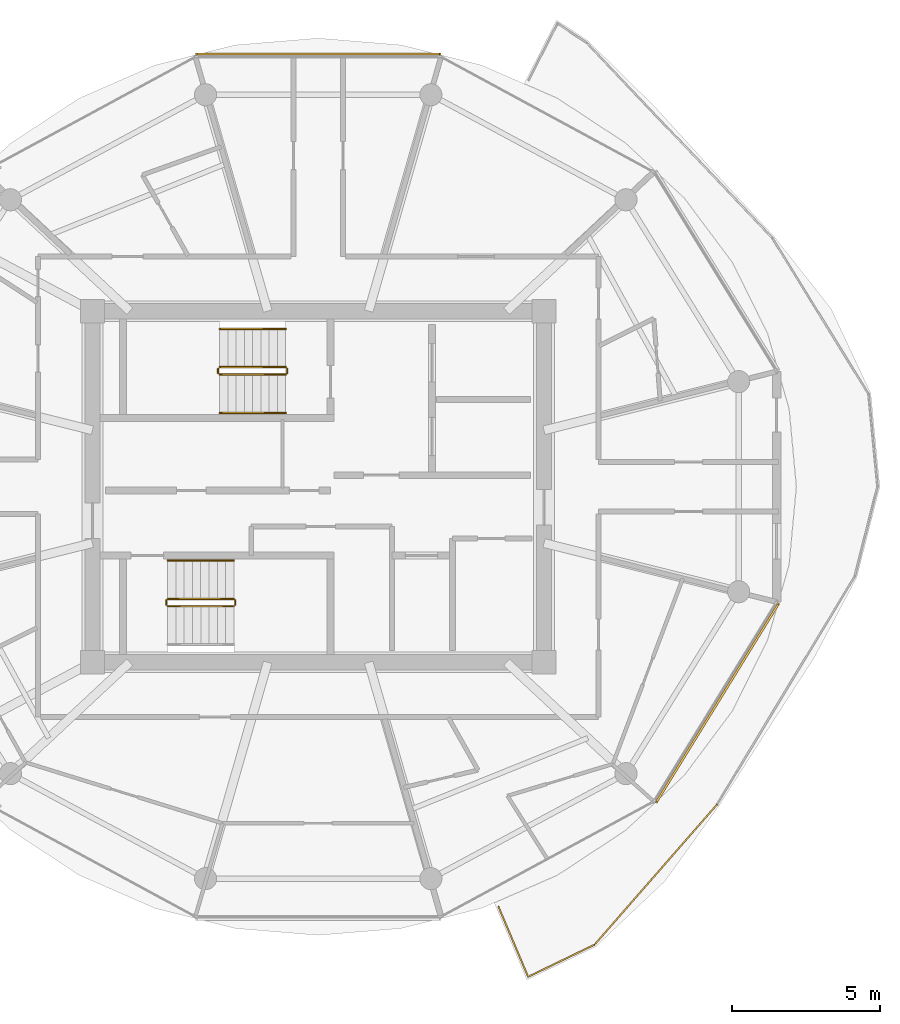
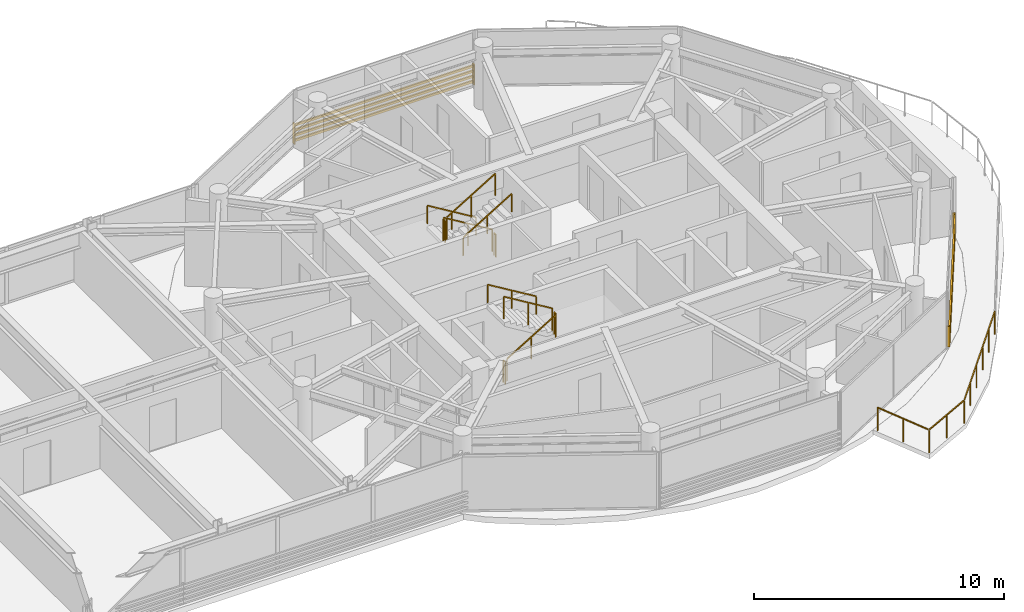
# One storey, part 23 of 24: 12 railings, 2 shading devices.
"""IFC4 building model written with IfcOpenShell, lengths in metres."""

from ifc_helpers import new_model, si_unit, direction, frame, origin, origin_2d, place, context, subcontext, project, spatial, rectangle, extrude, source, transform, mapped, material, type_object, type_shapes, element, save


model = new_model("IFC4")

# Units and contexts
model_context = context("Model", 3, precision=1e-05, world=origin(), true_north=direction((0.0, 1.0)))
body_context = subcontext(model_context, "Body", "Model", "MODEL_VIEW")
ifc_project = project(units=[si_unit("LENGTHUNIT", "METRE"), si_unit("AREAUNIT", "SQUARE_METRE"), si_unit("VOLUMEUNIT", "CUBIC_METRE"), si_unit("PLANEANGLEUNIT", "RADIAN"), si_unit("MASSUNIT", "GRAM", prefix="KILO")], contexts=[model_context])

# Site, building, storey
site_placement = place(None, origin())
site = spatial("IfcSite", under=ifc_project, at=site_placement, CompositionType="ELEMENT")
building_placement = place(site_placement, origin())
building = spatial("IfcBuilding", under=site, at=building_placement, Name="Norrkilde Senior Care Towers", CompositionType="ELEMENT")
storey_placement = place(building_placement, frame((0.0, 0.0, 213.89990234375)))
storey = spatial("IfcBuildingStorey", under=building, at=storey_placement, Name="L66", CompositionType="ELEMENT", Elevation=213.89990234375)

# Railings
ifc_material_1 = material(Name="Anodised Aluminium", Category="aluminium")
railing_type_1 = type_object("IfcRailingType", Name="Balcony Swirl Ribbon Guardrail 1150", PredefinedType="GUARDRAIL", material=ifc_material_1)
railing_1_placement = place(storey_placement, frame((41.511962890625, -10.7705078125, 0.0)))
element("IfcRailing", 1, at=railing_1_placement, inside=storey, type_object=railing_type_1, Name="L66 Perimeter Safety Guard 01", PredefinedType="GUARDRAIL", context=body_context, shape_type="SweptSolid", body=[
    extrude(rectangle(XDim=0.048095703125, YDim=0.048095703125, at=origin_2d()), frame((0.0, 0.0, 1.1259765625), z_axis=(-0.657980677489, -0.753034811978, 0.0), x_axis=(0.753034811978, -0.657980677489, 0.0)), (0.0, 0.0, 1.0), 6.261962890625),
    extrude(rectangle(XDim=0.048095703125, YDim=0.048095703125, at=origin_2d()), frame((-4.18408203125, -4.76416015625, 1.1259765625), z_axis=(-0.900167891141, -0.43554307222, 0.0), x_axis=(0.43554307222, -0.900167891141, 0.0)), (0.0, 0.0, 1.0), 2.419921875),
    extrude(rectangle(XDim=0.048095703125, YDim=0.048095703125, at=origin_2d()), frame((-6.4150390625, -5.79833984375, 1.1259765625), z_axis=(-0.389698674381, 0.920942421211, 0.0), x_axis=(-0.920942421211, -0.389698674381, 0.0)), (0.0, 0.0, 1.0), 2.537841796875),
    extrude(rectangle(XDim=0.0419921875, YDim=0.0419921875, at=origin_2d()), origin(), (0.0, 0.0, 1.0), 1.099853515625),
    extrude(rectangle(XDim=0.0419921875, YDim=0.0419921875, at=origin_2d()), frame((-0.829345703125, -0.94921875, 0.0)), (0.0, 0.0, 1.0), 1.099853515625),
    extrude(rectangle(XDim=0.0419921875, YDim=0.0419921875, at=origin_2d()), frame((-1.658935546875, -1.8984375, 0.0)), (0.0, 0.0, 1.0), 1.099853515625),
    extrude(rectangle(XDim=0.0419921875, YDim=0.0419921875, at=origin_2d()), frame((-2.48828125, -2.847900390625, 0.0)), (0.0, 0.0, 1.0), 1.099853515625),
    extrude(rectangle(XDim=0.0419921875, YDim=0.0419921875, at=origin_2d()), frame((-3.31787109375, -3.797119140625, 0.0)), (0.0, 0.0, 1.0), 1.099853515625),
    extrude(rectangle(XDim=0.0419921875, YDim=0.0419921875, at=origin_2d()), frame((-4.147216796875, -4.746337890625, 0.0)), (0.0, 0.0, 1.0), 1.099853515625),
    extrude(rectangle(XDim=0.0419921875, YDim=0.0419921875, at=origin_2d()), frame((-5.273193359375, -5.291015625, 0.0)), (0.0, 0.0, 1.0), 1.099853515625),
    extrude(rectangle(XDim=0.0419921875, YDim=0.0419921875, at=origin_2d()), frame((-6.399169921875, -5.8359375, 0.0)), (0.0, 0.0, 1.0), 1.099853515625),
    extrude(rectangle(XDim=0.0419921875, YDim=0.0419921875, at=origin_2d()), frame((-6.901611328125, -4.6484375, 0.0)), (0.0, 0.0, 1.0), 1.099853515625),
    extrude(rectangle(XDim=0.0419921875, YDim=0.0419921875, at=origin_2d()), frame((-7.404052734375, -3.461181640625, 0.0)), (0.0, 0.0, 1.0), 1.099853515625),
])
ifc_material_2 = material(Name="Stainless Steel", Category="steel")
railing_type_2 = type_object("IfcRailingType", Name="Stair and Terrace Guardrail 1100", PredefinedType="GUARDRAIL", material=ifc_material_2)
railing_2_placement = place(storey_placement, frame((26.89990234375, 4.050048828125, 0.16943359375)))
element("IfcRailing", 2, at=railing_2_placement, inside=storey, type_object=railing_type_2, Name="L66 ST-E1 stair guard 1", PredefinedType="GUARDRAIL", context=body_context, shape_type="SweptSolid", body=[
    extrude(rectangle(XDim=0.048095703125, YDim=0.048095703125, at=origin_2d()), frame((0.0, 0.0, 1.076171875), z_axis=(-0.855512035549, 0.0, 0.517782924622), x_axis=(0.0, -1.0, 0.0)), (0.0, 0.0, 1.0), 2.618408203125),
    extrude(rectangle(XDim=0.0419921875, YDim=0.0419921875, at=origin_2d()), origin(), (0.0, 0.0, 1.0), 1.050048828125),
    extrude(rectangle(XDim=0.0419921875, YDim=0.0419921875, at=origin_2d()), frame((-1.1201171875, 0.0, 0.677734375)), (0.0, 0.0, 1.0), 1.050048828125),
    extrude(rectangle(XDim=0.0419921875, YDim=0.0419921875, at=origin_2d()), frame((-2.239990234375, 0.0, 1.355712890625)), (0.0, 0.0, 1.0), 1.050048828125),
])
railing_3_placement = place(storey_placement, frame((24.610107421875, 4.0, 1.525146484375)))
element("IfcRailing", 3, at=railing_3_placement, inside=storey, type_object=railing_type_2, Name="L66 ST-E1 stair guard 2", PredefinedType="GUARDRAIL", context=body_context, shape_type="SweptSolid", body=[
    extrude(rectangle(XDim=0.048095703125, YDim=0.048095703125, at=origin_2d()), frame((0.0, 0.0, 1.076171875), z_axis=(0.0, -1.0, 0.0), x_axis=(1.0, 0.0, 0.0)), (0.0, 0.0, 1.0), 0.14990234375),
    extrude(rectangle(XDim=0.0419921875, YDim=0.0419921875, at=origin_2d()), origin(), (0.0, 0.0, 1.0), 1.050048828125),
    extrude(rectangle(XDim=0.0419921875, YDim=0.0419921875, at=origin_2d()), frame((0.0, -0.14990234375, 0.0)), (0.0, 0.0, 1.0), 1.050048828125),
])
railing_4_placement = place(storey_placement, frame((24.659912109375, 3.800048828125, 1.694580078125)))
element("IfcRailing", 4, at=railing_4_placement, inside=storey, type_object=railing_type_2, Name="L66 ST-E1 stair guard 3", PredefinedType="GUARDRAIL", context=body_context, shape_type="SweptSolid", body=[
    extrude(rectangle(XDim=0.048095703125, YDim=0.048095703125, at=origin_2d()), frame((0.0, 0.0, 1.076171875), z_axis=(0.855553338991, 0.0, 0.51771467445), x_axis=(0.0, 1.0, 0.0)), (0.0, 0.0, 1.0), 2.6181640625),
    extrude(rectangle(XDim=0.0419921875, YDim=0.0419921875, at=origin_2d()), origin(), (0.0, 0.0, 1.0), 1.050048828125),
    extrude(rectangle(XDim=0.0419921875, YDim=0.0419921875, at=origin_2d()), frame((1.1201171875, 0.0, 0.677734375)), (0.0, 0.0, 1.0), 1.050048828125),
    extrude(rectangle(XDim=0.0419921875, YDim=0.0419921875, at=origin_2d()), frame((2.239990234375, 0.0, 1.35546875)), (0.0, 0.0, 1.0), 1.050048828125),
])
railing_5_placement = place(storey_placement, frame((26.949951171875, 4.0, 0.0)))
element("IfcRailing", 5, at=railing_5_placement, inside=storey, type_object=railing_type_2, Name="L66 ST-E1 stair guard 4", PredefinedType="GUARDRAIL", context=body_context, shape_type="SweptSolid", body=[
    extrude(rectangle(XDim=0.048095703125, YDim=0.048095703125, at=origin_2d()), frame((0.0, 0.0, 1.076171875), z_axis=(0.0, -1.0, 0.0), x_axis=(1.0, 0.0, 0.0)), (0.0, 0.0, 1.0), 0.14990234375),
    extrude(rectangle(XDim=0.0419921875, YDim=0.0419921875, at=origin_2d()), origin(), (0.0, 0.0, 1.0), 1.050048828125),
    extrude(rectangle(XDim=0.0419921875, YDim=0.0419921875, at=origin_2d()), frame((0.0, -0.14990234375, 0.0)), (0.0, 0.0, 1.0), 1.050048828125),
])
railing_6_placement = place(storey_placement, frame((22.89990234375, -4.050048828125, 0.16943359375)))
element("IfcRailing", 6, at=railing_6_placement, inside=storey, type_object=railing_type_2, Name="L66 ST-E2 stair guard 1", PredefinedType="GUARDRAIL", context=body_context, shape_type="SweptSolid", body=[
    extrude(rectangle(XDim=0.048095703125, YDim=0.048095703125, at=origin_2d()), frame((0.0, 0.0, 1.076171875), z_axis=(0.855512035549, 0.0, 0.517782924622), x_axis=(0.0, 1.0, 0.0)), (0.0, 0.0, 1.0), 2.618408203125),
    extrude(rectangle(XDim=0.0419921875, YDim=0.0419921875, at=origin_2d()), origin(), (0.0, 0.0, 1.0), 1.050048828125),
    extrude(rectangle(XDim=0.0419921875, YDim=0.0419921875, at=origin_2d()), frame((1.1201171875, 0.0, 0.677734375)), (0.0, 0.0, 1.0), 1.050048828125),
    extrude(rectangle(XDim=0.0419921875, YDim=0.0419921875, at=origin_2d()), frame((2.239990234375, 0.0, 1.355712890625)), (0.0, 0.0, 1.0), 1.050048828125),
])
railing_7_placement = place(storey_placement, frame((25.18994140625, -4.0, 1.525146484375)))
element("IfcRailing", 7, at=railing_7_placement, inside=storey, type_object=railing_type_2, Name="L66 ST-E2 stair guard 2", PredefinedType="GUARDRAIL", context=body_context, shape_type="SweptSolid", body=[
    extrude(rectangle(XDim=0.048095703125, YDim=0.048095703125, at=origin_2d()), frame((0.0, 0.0, 1.076171875), z_axis=(0.0, 1.0, 0.0), x_axis=(-1.0, 0.0, 0.0)), (0.0, 0.0, 1.0), 0.14990234375),
    extrude(rectangle(XDim=0.0419921875, YDim=0.0419921875, at=origin_2d()), origin(), (0.0, 0.0, 1.0), 1.050048828125),
    extrude(rectangle(XDim=0.0419921875, YDim=0.0419921875, at=origin_2d()), frame((0.0, 0.14990234375, 0.0)), (0.0, 0.0, 1.0), 1.050048828125),
])
railing_8_placement = place(storey_placement, frame((25.139892578125, -3.800048828125, 1.694580078125)))
element("IfcRailing", 8, at=railing_8_placement, inside=storey, type_object=railing_type_2, Name="L66 ST-E2 stair guard 3", PredefinedType="GUARDRAIL", context=body_context, shape_type="SweptSolid", body=[
    extrude(rectangle(XDim=0.048095703125, YDim=0.048095703125, at=origin_2d()), frame((0.0, 0.0, 1.076171875), z_axis=(-0.855553338991, 0.0, 0.51771467445), x_axis=(0.0, -1.0, 0.0)), (0.0, 0.0, 1.0), 2.6181640625),
    extrude(rectangle(XDim=0.0419921875, YDim=0.0419921875, at=origin_2d()), origin(), (0.0, 0.0, 1.0), 1.050048828125),
    extrude(rectangle(XDim=0.0419921875, YDim=0.0419921875, at=origin_2d()), frame((-1.1201171875, 0.0, 0.677734375)), (0.0, 0.0, 1.0), 1.050048828125),
    extrude(rectangle(XDim=0.0419921875, YDim=0.0419921875, at=origin_2d()), frame((-2.239990234375, 0.0, 1.35546875)), (0.0, 0.0, 1.0), 1.050048828125),
])
railing_9_placement = place(storey_placement, frame((22.85009765625, -4.0, 0.0)))
element("IfcRailing", 9, at=railing_9_placement, inside=storey, type_object=railing_type_2, Name="L66 ST-E2 stair guard 4", PredefinedType="GUARDRAIL", context=body_context, shape_type="SweptSolid", body=[
    extrude(rectangle(XDim=0.048095703125, YDim=0.048095703125, at=origin_2d()), frame((0.0, 0.0, 1.076171875), z_axis=(0.0, 1.0, 0.0), x_axis=(-1.0, 0.0, 0.0)), (0.0, 0.0, 1.0), 0.14990234375),
    extrude(rectangle(XDim=0.0419921875, YDim=0.0419921875, at=origin_2d()), origin(), (0.0, 0.0, 1.0), 1.050048828125),
    extrude(rectangle(XDim=0.0419921875, YDim=0.0419921875, at=origin_2d()), frame((0.0, 0.14990234375, 0.0)), (0.0, 0.0, 1.0), 1.050048828125),
])
ifc_material_3 = material(Name="Nordic Ash Timber", Category="wood")
railing_type_3 = type_object("IfcRailingType", Name="Wall and Stair Handrail 900", PredefinedType="HANDRAIL", material=ifc_material_3)
railing_10_placement = place(storey_placement, frame((26.89990234375, 5.35009765625, 0.16943359375)))
element("IfcRailing", 10, at=railing_10_placement, inside=storey, type_object=railing_type_3, Name="L66 ST-E1 stair handrail 1", PredefinedType="HANDRAIL", context=body_context, shape_type="SweptSolid", body=[
    extrude(rectangle(XDim=0.048095703125, YDim=0.048095703125, at=origin_2d()), frame((0.0, 0.0, 0.8759765625), z_axis=(-0.855512035549, 0.0, 0.517782924622), x_axis=(0.0, -1.0, 0.0)), (0.0, 0.0, 1.0), 2.618408203125),
    extrude(rectangle(XDim=0.0419921875, YDim=0.0419921875, at=origin_2d()), origin(), (0.0, 0.0, 1.0), 0.849853515625),
    extrude(rectangle(XDim=0.0419921875, YDim=0.0419921875, at=origin_2d()), frame((-1.1201171875, 0.0, 0.677734375)), (0.0, 0.0, 1.0), 0.849853515625),
    extrude(rectangle(XDim=0.0419921875, YDim=0.0419921875, at=origin_2d()), frame((-2.239990234375, 0.0, 1.355712890625)), (0.0, 0.0, 1.0), 0.849853515625),
])
railing_11_placement = place(storey_placement, frame((24.659912109375, 2.5, 1.694580078125)))
element("IfcRailing", 11, at=railing_11_placement, inside=storey, type_object=railing_type_3, Name="L66 ST-E1 stair handrail 2", PredefinedType="HANDRAIL", context=body_context, shape_type="SweptSolid", body=[
    extrude(rectangle(XDim=0.048095703125, YDim=0.048095703125, at=origin_2d()), frame((0.0, 0.0, 0.8759765625), z_axis=(0.855553338991, 0.0, 0.51771467445), x_axis=(0.0, 1.0, 0.0)), (0.0, 0.0, 1.0), 2.6181640625),
    extrude(rectangle(XDim=0.0419921875, YDim=0.0419921875, at=origin_2d()), origin(), (0.0, 0.0, 1.0), 0.849853515625),
    extrude(rectangle(XDim=0.0419921875, YDim=0.0419921875, at=origin_2d()), frame((1.1201171875, 0.0, 0.677734375)), (0.0, 0.0, 1.0), 0.849853515625),
    extrude(rectangle(XDim=0.0419921875, YDim=0.0419921875, at=origin_2d()), frame((2.239990234375, 0.0, 1.35546875)), (0.0, 0.0, 1.0), 0.849853515625),
])
railing_12_placement = place(storey_placement, frame((25.139892578125, -2.5, 1.694580078125)))
element("IfcRailing", 12, at=railing_12_placement, inside=storey, type_object=railing_type_3, Name="L66 ST-E2 stair handrail 2", PredefinedType="HANDRAIL", context=body_context, shape_type="SweptSolid", body=[
    extrude(rectangle(XDim=0.048095703125, YDim=0.048095703125, at=origin_2d()), frame((0.0, 0.0, 0.8759765625), z_axis=(-0.855553338991, 0.0, 0.51771467445), x_axis=(0.0, -1.0, 0.0)), (0.0, 0.0, 1.0), 2.6181640625),
    extrude(rectangle(XDim=0.0419921875, YDim=0.0419921875, at=origin_2d()), origin(), (0.0, 0.0, 1.0), 0.849853515625),
    extrude(rectangle(XDim=0.0419921875, YDim=0.0419921875, at=origin_2d()), frame((-1.1201171875, 0.0, 0.677734375)), (0.0, 0.0, 1.0), 0.849853515625),
    extrude(rectangle(XDim=0.0419921875, YDim=0.0419921875, at=origin_2d()), frame((-2.239990234375, 0.0, 1.35546875)), (0.0, 0.0, 1.0), 0.849853515625),
])

# Shading devices
ifc_material_4 = material(Name="Architectural Terracotta", Category="masonry")
shading_device_type = type_object("IfcShadingDeviceType", Name="Horizontal Terracotta Baguette Rack", PredefinedType="USERDEFINED", material=ifc_material_4)
shared_shape_1 = source(origin(), body_context, "Body", "SweptSolid", [
    extrude(rectangle(XDim=0.070068359375, YDim=0.110107421875, at=origin_2d()), frame((0.0, 0.090087890625, 0.125), z_axis=(1.0, 0.0, 0.0), x_axis=(0.0, 1.0, 0.0)), (0.0, 0.0, 1.0), 7.938232421875),
    extrude(rectangle(XDim=0.070068359375, YDim=0.110107421875, at=origin_2d()), frame((0.0, 0.090087890625, 0.375), z_axis=(1.0, 0.0, 0.0), x_axis=(0.0, 1.0, 0.0)), (0.0, 0.0, 1.0), 7.938232421875),
    extrude(rectangle(XDim=0.070068359375, YDim=0.110107421875, at=origin_2d()), frame((0.0, 0.090087890625, 0.625), z_axis=(1.0, 0.0, 0.0), x_axis=(0.0, 1.0, 0.0)), (0.0, 0.0, 1.0), 7.938232421875),
    extrude(rectangle(XDim=0.070068359375, YDim=0.110107421875, at=origin_2d()), frame((0.0, 0.090087890625, 0.875), z_axis=(1.0, 0.0, 0.0), x_axis=(0.0, 1.0, 0.0)), (0.0, 0.0, 1.0), 7.938232421875),
    extrude(rectangle(XDim=0.050048828125, YDim=0.1552734375, at=origin_2d()), frame((0.02490234375, 0.047607421875, 0.0)), (0.0, 0.0, 1.0), 1.0),
    extrude(rectangle(XDim=0.050048828125, YDim=0.1552734375, at=origin_2d()), frame((7.9130859375, 0.047607421875, 0.0)), (0.0, 0.0, 1.0), 1.0),
])
shading_device_1_placement = place(storey_placement, frame((43.531982421875, -3.903076171875, 0.080078125), z_axis=(0.0, 0.0, 1.0), x_axis=(-0.524250345994, -0.851576195602, 0.0)))
element("IfcShadingDevice", 13, at=shading_device_1_placement, inside=storey, type_object=shading_device_type, Name="L66 Drum E Terracotta Baguette Screen 10", ObjectType="BAGUETTE", PredefinedType="USERDEFINED", context=body_context, shape_type="MappedRepresentation", body=[
    mapped(shared_shape_1, transform((0.0, 0.0, 0.0), x_axis=(1.0, 0.0, 0.0), y_axis=(0.0, 1.0, 0.0), z_axis=(0.0, 0.0, 1.0), scale=1.0)),
])
shared_shape_2 = source(origin(), body_context, "Body", "SweptSolid", [
    extrude(rectangle(XDim=0.070068359375, YDim=0.110107421875, at=origin_2d()), frame((0.0, 0.090087890625, 0.125), z_axis=(1.0, 0.0, 0.0), x_axis=(0.0, 1.0, 0.0)), (0.0, 0.0, 1.0), 8.32373046875),
    extrude(rectangle(XDim=0.070068359375, YDim=0.110107421875, at=origin_2d()), frame((0.0, 0.090087890625, 0.375), z_axis=(1.0, 0.0, 0.0), x_axis=(0.0, 1.0, 0.0)), (0.0, 0.0, 1.0), 8.32373046875),
    extrude(rectangle(XDim=0.070068359375, YDim=0.110107421875, at=origin_2d()), frame((0.0, 0.090087890625, 0.625), z_axis=(1.0, 0.0, 0.0), x_axis=(0.0, 1.0, 0.0)), (0.0, 0.0, 1.0), 8.32373046875),
    extrude(rectangle(XDim=0.070068359375, YDim=0.110107421875, at=origin_2d()), frame((0.0, 0.090087890625, 0.875), z_axis=(1.0, 0.0, 0.0), x_axis=(0.0, 1.0, 0.0)), (0.0, 0.0, 1.0), 8.32373046875),
    extrude(rectangle(XDim=0.050048828125, YDim=0.1552734375, at=origin_2d()), frame((0.02490234375, 0.047607421875, 0.0)), (0.0, 0.0, 1.0), 1.0),
    extrude(rectangle(XDim=0.050048828125, YDim=0.1552734375, at=origin_2d()), frame((8.298828125, 0.047607421875, 0.0)), (0.0, 0.0, 1.0), 1.0),
])
type_shapes(shading_device_type, [shared_shape_1, shared_shape_2])
shading_device_2_placement = place(storey_placement, frame((23.838134765625, 14.566162109375, 0.080078125), z_axis=(0.0, 0.0, 1.0), x_axis=(1.0, 0.0, 0.0)))
element("IfcShadingDevice", 14, at=shading_device_2_placement, inside=storey, type_object=shading_device_type, Name="L66 Drum E Terracotta Baguette Screen 02", ObjectType="BAGUETTE", PredefinedType="USERDEFINED", context=body_context, shape_type="MappedRepresentation", body=[
    mapped(shared_shape_2, transform((0.0, 0.0, 0.0), x_axis=(1.0, 0.0, 0.0), y_axis=(0.0, 1.0, 0.0), z_axis=(0.0, 0.0, 1.0), scale=1.0)),
])

save(model, "model.ifc")
